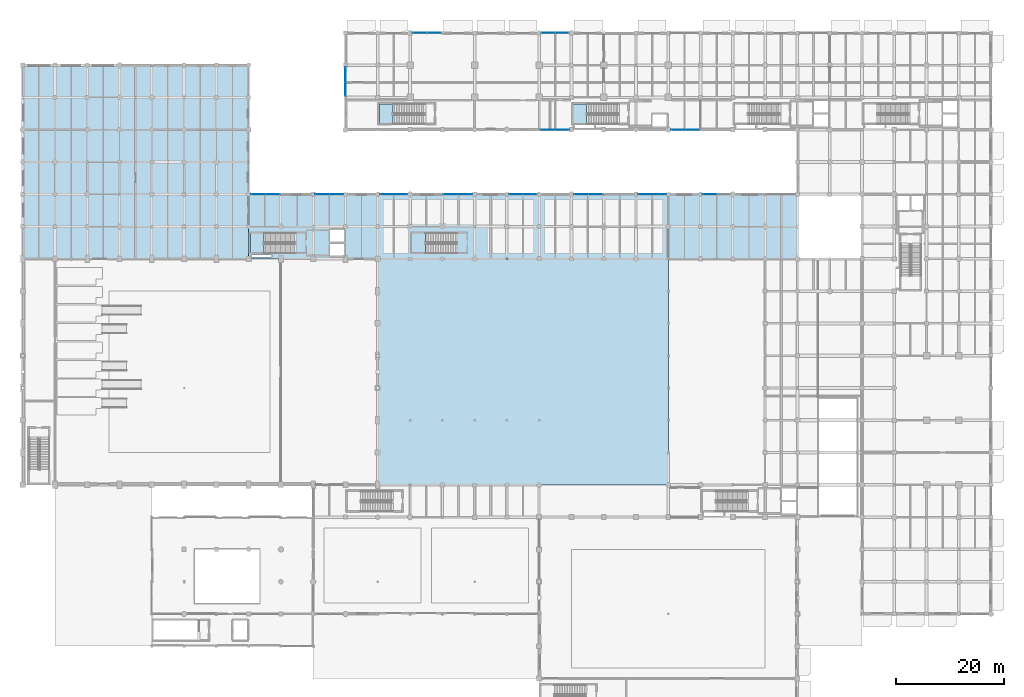
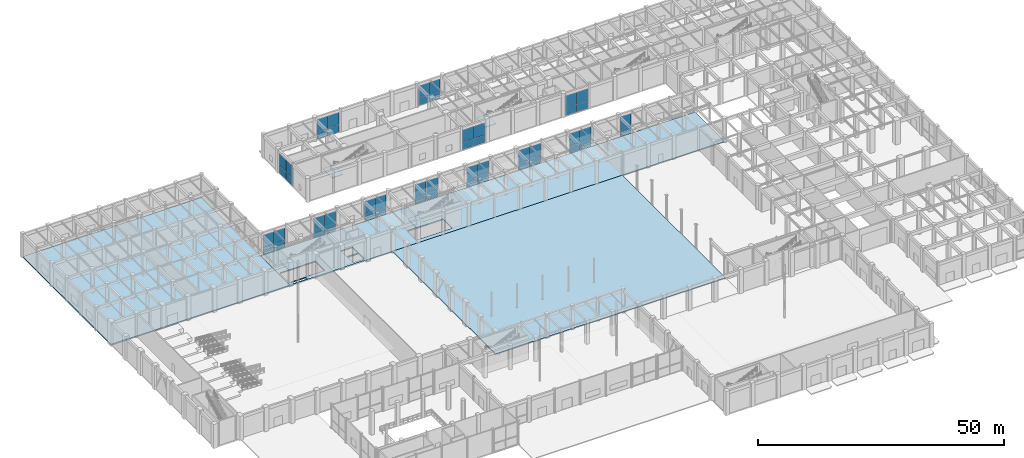
# One storey, part 73 of 106: 50 plates, 7 slabs, 17 elements without a shape of their own.
"""IFC4 building model written with IfcOpenShell, lengths in metres."""

from ifc_helpers import new_model, si_unit, direction, frame, frame_2d, origin, place, context, subcontext, project, spatial, polyline, rectangle, outline, extrude, material, layer, layer_set, type_object, element, aggregate, save


model = new_model("IFC4")

# Units and contexts
model_context = context("Model", 3, precision=1e-05, world=origin(), true_north=direction((0.0, 1.0)))
body_context = subcontext(model_context, "Body", "Model", "MODEL_VIEW")
ifc_project = project(units=[si_unit("LENGTHUNIT", "METRE"), si_unit("AREAUNIT", "SQUARE_METRE"), si_unit("VOLUMEUNIT", "CUBIC_METRE"), si_unit("PLANEANGLEUNIT", "RADIAN"), si_unit("MASSUNIT", "GRAM", prefix="KILO"), si_unit("THERMODYNAMICTEMPERATUREUNIT", "KELVIN"), si_unit("POWERUNIT", "WATT")], contexts=[model_context])

# Site, building, storey
site_placement = place(None, origin())
site = spatial("IfcSite", under=ifc_project, at=site_placement, CompositionType="ELEMENT")
building_placement = place(site_placement, origin())
building = spatial("IfcBuilding", under=site, at=building_placement, Name="Phaisarnlok Congress Hotel", CompositionType="ELEMENT")
storey_placement = place(building_placement, origin())
storey = spatial("IfcBuildingStorey", under=building, at=storey_placement, Name="L00", CompositionType="ELEMENT", Elevation=0.0)

# Curtain wall, plates
ifc_material_1 = material(Name="Thermally Broken Unitised Aluminium & Low-E Glazing", Category="aluminium")
curtain_wall_type_1 = type_object("IfcCurtainWallType", Name="CW-UNIT-01", PredefinedType="NOTDEFINED", material=ifc_material_1)
curtain_wall_1_placement = place(storey_placement, origin())
curtain_wall_1 = element("IfcCurtainWall", 1, at=curtain_wall_1_placement, inside=storey, type_object=curtain_wall_type_1, Name="Unitised curtain wall CW-01 (L00)", PredefinedType="NOTDEFINED")
ifc_material_2 = material(Name="Triple Acoustic Solar-Control Glazing", Category="glass")
ifc_layer_1 = layer(ifc_material_2, 0.035888671875, Name="Triple Acoustic Solar-Control Glazing")
ifc_layer_set_1 = layer_set([ifc_layer_1], Name="Triple Acoustic Solar-Control Glazing")
plate_type = type_object("IfcPlateType", Name="CWP-GLZ-36", PredefinedType="CURTAIN_PANEL", material=ifc_layer_set_1)
plate_1_placement = place(storey_placement, frame((101.47509765625, 126.0, 0.0400390625), z_axis=(0.0, 0.0, 1.0), x_axis=(-1.0, 0.0, 0.0)))
plate_1 = element("IfcPlate", 2, at=plate_1_placement, type_object=plate_type, Name="Glazed curtain panel CWP-02", PredefinedType="CURTAIN_PANEL", context=body_context, shape_type="SweptSolid", body=[
    extrude(rectangle(XDim=2.49755859375, YDim=0.028076171875, at=frame_2d((1.248779296875, 0.0))), origin(), (0.0, 0.0, 1.0), 1.856201171875),
])
plate_2_placement = place(storey_placement, frame((101.47509765625, 126.0, 1.896240234375), z_axis=(0.0, 0.0, 1.0), x_axis=(-1.0, 0.0, 0.0)))
plate_2 = element("IfcPlate", 3, at=plate_2_placement, type_object=plate_type, Name="Glazed curtain panel CWP-02", PredefinedType="CURTAIN_PANEL", context=body_context, shape_type="SweptSolid", body=[
    extrude(rectangle(XDim=2.49755859375, YDim=0.028076171875, at=frame_2d((1.248779296875, 0.0))), origin(), (0.0, 0.0, 1.0), 3.0537109375),
])
plate_3_placement = place(storey_placement, frame((98.947509765625, 126.0, 0.0400390625), z_axis=(0.0, 0.0, 1.0), x_axis=(-1.0, 0.0, 0.0)))
plate_3 = element("IfcPlate", 4, at=plate_3_placement, type_object=plate_type, Name="Glazed curtain panel CWP-02", PredefinedType="CURTAIN_PANEL", context=body_context, shape_type="SweptSolid", body=[
    extrude(rectangle(XDim=2.49755859375, YDim=0.028076171875, at=frame_2d((1.248779296875, 0.0))), origin(), (0.0, 0.0, 1.0), 1.856201171875),
])
plate_4_placement = place(storey_placement, frame((98.947509765625, 126.0, 1.896240234375), z_axis=(0.0, 0.0, 1.0), x_axis=(-1.0, 0.0, 0.0)))
plate_4 = element("IfcPlate", 5, at=plate_4_placement, type_object=plate_type, Name="Glazed curtain panel CWP-02", PredefinedType="CURTAIN_PANEL", context=body_context, shape_type="SweptSolid", body=[
    extrude(rectangle(XDim=2.49755859375, YDim=0.028076171875, at=frame_2d((1.248779296875, 0.0))), origin(), (0.0, 0.0, 1.0), 3.0537109375),
])
aggregate(curtain_wall_1, [plate_1, plate_2, plate_3, plate_4])

curtain_wall_type_2 = type_object("IfcCurtainWallType", Name="CW-UNIT-05", PredefinedType="NOTDEFINED", material=ifc_material_1)
curtain_wall_2_placement = place(storey_placement, origin())
curtain_wall_2 = element("IfcCurtainWall", 6, at=curtain_wall_2_placement, inside=storey, type_object=curtain_wall_type_2, Name="Unitised curtain wall CW-05 (L00)", PredefinedType="NOTDEFINED")
plate_5_placement = place(storey_placement, frame((77.7744140625, 126.0, 0.0400390625), z_axis=(0.0, 0.0, 1.0), x_axis=(-1.0, 0.0, 0.0)))
plate_5 = element("IfcPlate", 7, at=plate_5_placement, type_object=plate_type, Name="Glazed curtain panel CWP-02", PredefinedType="CURTAIN_PANEL", context=body_context, shape_type="SweptSolid", body=[
    extrude(rectangle(XDim=2.609619140625, YDim=0.028076171875, at=frame_2d((1.3046875, 0.0))), origin(), (0.0, 0.0, 1.0), 1.856201171875),
])
plate_6_placement = place(storey_placement, frame((77.7744140625, 126.0, 1.896240234375), z_axis=(0.0, 0.0, 1.0), x_axis=(-1.0, 0.0, 0.0)))
plate_6 = element("IfcPlate", 8, at=plate_6_placement, type_object=plate_type, Name="Glazed curtain panel CWP-02", PredefinedType="CURTAIN_PANEL", context=body_context, shape_type="SweptSolid", body=[
    extrude(rectangle(XDim=2.609619140625, YDim=0.028076171875, at=frame_2d((1.3046875, 0.0))), origin(), (0.0, 0.0, 1.0), 3.0537109375),
])
plate_7_placement = place(storey_placement, frame((75.134765625, 126.0, 0.0400390625), z_axis=(0.0, 0.0, 1.0), x_axis=(-1.0, 0.0, 0.0)))
plate_7 = element("IfcPlate", 9, at=plate_7_placement, type_object=plate_type, Name="Glazed curtain panel CWP-02", PredefinedType="CURTAIN_PANEL", context=body_context, shape_type="SweptSolid", body=[
    extrude(rectangle(XDim=2.60986328125, YDim=0.028076171875, at=frame_2d((1.304931640625, 0.0))), origin(), (0.0, 0.0, 1.0), 1.856201171875),
])
plate_8_placement = place(storey_placement, frame((75.134765625, 126.0, 1.896240234375), z_axis=(0.0, 0.0, 1.0), x_axis=(-1.0, 0.0, 0.0)))
plate_8 = element("IfcPlate", 10, at=plate_8_placement, type_object=plate_type, Name="Glazed curtain panel CWP-02", PredefinedType="CURTAIN_PANEL", context=body_context, shape_type="SweptSolid", body=[
    extrude(rectangle(XDim=2.60986328125, YDim=0.028076171875, at=frame_2d((1.304931640625, 0.0))), origin(), (0.0, 0.0, 1.0), 3.0537109375),
])
aggregate(curtain_wall_2, [plate_5, plate_6, plate_7, plate_8])

curtain_wall_type_3 = type_object("IfcCurtainWallType", Name="CW-UNIT-04", PredefinedType="NOTDEFINED", material=ifc_material_1)
curtain_wall_3_placement = place(storey_placement, origin())
curtain_wall_3 = element("IfcCurtainWall", 11, at=curtain_wall_3_placement, inside=storey, type_object=curtain_wall_type_3, Name="Unitised curtain wall CW-04 (L00)", PredefinedType="NOTDEFINED")
plate_9_placement = place(storey_placement, frame((60.0, 119.574951171875, 0.0400390625), z_axis=(0.0, 0.0, 1.0), x_axis=(0.0, -1.0, 0.0)))
plate_9 = element("IfcPlate", 12, at=plate_9_placement, type_object=plate_type, Name="Glazed curtain panel CWP-02", PredefinedType="CURTAIN_PANEL", context=body_context, shape_type="SweptSolid", body=[
    extrude(rectangle(XDim=2.66015625, YDim=0.028076171875, at=frame_2d((1.330078125, 0.0))), origin(), (0.0, 0.0, 1.0), 1.86376953125),
])
plate_10_placement = place(storey_placement, frame((60.0, 119.574951171875, 1.90380859375), z_axis=(0.0, 0.0, 1.0), x_axis=(0.0, -1.0, 0.0)))
plate_10 = element("IfcPlate", 13, at=plate_10_placement, type_object=plate_type, Name="Glazed curtain panel CWP-02", PredefinedType="CURTAIN_PANEL", context=body_context, shape_type="SweptSolid", body=[
    extrude(rectangle(XDim=2.66015625, YDim=0.028076171875, at=frame_2d((1.330078125, 0.0))), origin(), (0.0, 0.0, 1.0), 3.066162109375),
])
plate_11_placement = place(storey_placement, frame((60.0, 116.884765625, 0.0400390625), z_axis=(0.0, 0.0, 1.0), x_axis=(0.0, -1.0, 0.0)))
plate_11 = element("IfcPlate", 14, at=plate_11_placement, type_object=plate_type, Name="Glazed curtain panel CWP-02", PredefinedType="CURTAIN_PANEL", context=body_context, shape_type="SweptSolid", body=[
    extrude(rectangle(XDim=2.66015625, YDim=0.028076171875, at=frame_2d((1.330078125, 0.0))), origin(), (0.0, 0.0, 1.0), 1.86376953125),
])
plate_12_placement = place(storey_placement, frame((60.0, 116.884765625, 1.90380859375), z_axis=(0.0, 0.0, 1.0), x_axis=(0.0, -1.0, 0.0)))
plate_12 = element("IfcPlate", 15, at=plate_12_placement, type_object=plate_type, Name="Glazed curtain panel CWP-02", PredefinedType="CURTAIN_PANEL", context=body_context, shape_type="SweptSolid", body=[
    extrude(rectangle(XDim=2.66015625, YDim=0.028076171875, at=frame_2d((1.330078125, 0.0))), origin(), (0.0, 0.0, 1.0), 3.066162109375),
])
aggregate(curtain_wall_3, [plate_9, plate_10, plate_11, plate_12])

curtain_wall_4_placement = place(storey_placement, origin())
curtain_wall_4 = element("IfcCurtainWall", 16, at=curtain_wall_4_placement, inside=storey, type_object=curtain_wall_type_3, Name="Unitised curtain wall CW-04 (L00)", PredefinedType="NOTDEFINED")
plate_13_placement = place(storey_placement, frame((96.2255859375, 108.0, 0.0400390625), z_axis=(0.0, 0.0, 1.0), x_axis=(1.0, 0.0, 0.0)))
plate_13 = element("IfcPlate", 17, at=plate_13_placement, type_object=plate_type, Name="Glazed curtain panel CWP-02", PredefinedType="CURTAIN_PANEL", context=body_context, shape_type="SweptSolid", body=[
    extrude(rectangle(XDim=2.65966796875, YDim=0.028076171875, at=frame_2d((1.329833984375, 0.0))), origin(), (0.0, 0.0, 1.0), 1.856201171875),
])
plate_14_placement = place(storey_placement, frame((96.2255859375, 108.0, 1.896240234375), z_axis=(0.0, 0.0, 1.0), x_axis=(1.0, 0.0, 0.0)))
plate_14 = element("IfcPlate", 18, at=plate_14_placement, type_object=plate_type, Name="Glazed curtain panel CWP-02", PredefinedType="CURTAIN_PANEL", context=body_context, shape_type="SweptSolid", body=[
    extrude(rectangle(XDim=2.65966796875, YDim=0.028076171875, at=frame_2d((1.329833984375, 0.0))), origin(), (0.0, 0.0, 1.0), 3.0537109375),
])
plate_15_placement = place(storey_placement, frame((98.915283203125, 108.0, 0.0400390625), z_axis=(0.0, 0.0, 1.0), x_axis=(1.0, 0.0, 0.0)))
plate_15 = element("IfcPlate", 19, at=plate_15_placement, type_object=plate_type, Name="Glazed curtain panel CWP-02", PredefinedType="CURTAIN_PANEL", context=body_context, shape_type="SweptSolid", body=[
    extrude(rectangle(XDim=2.65966796875, YDim=0.028076171875, at=frame_2d((1.329833984375, 0.0))), origin(), (0.0, 0.0, 1.0), 1.856201171875),
])
plate_16_placement = place(storey_placement, frame((98.915283203125, 108.0, 1.896240234375), z_axis=(0.0, 0.0, 1.0), x_axis=(1.0, 0.0, 0.0)))
plate_16 = element("IfcPlate", 20, at=plate_16_placement, type_object=plate_type, Name="Glazed curtain panel CWP-02", PredefinedType="CURTAIN_PANEL", context=body_context, shape_type="SweptSolid", body=[
    extrude(rectangle(XDim=2.65966796875, YDim=0.028076171875, at=frame_2d((1.329833984375, 0.0))), origin(), (0.0, 0.0, 1.0), 3.0537109375),
])
aggregate(curtain_wall_4, [plate_13, plate_14, plate_15, plate_16])

curtain_wall_5_placement = place(storey_placement, origin())
curtain_wall_5 = element("IfcCurtainWall", 21, at=curtain_wall_5_placement, inside=storey, type_object=curtain_wall_type_2, Name="Unitised curtain wall CW-05 (L00)", PredefinedType="NOTDEFINED")
plate_17_placement = place(storey_placement, frame((120.52490234375, 108.0, 0.0400390625), z_axis=(0.0, 0.0, 1.0), x_axis=(1.0, 0.0, 0.0)))
plate_17 = element("IfcPlate", 22, at=plate_17_placement, type_object=plate_type, Name="Glazed curtain panel CWP-02", PredefinedType="CURTAIN_PANEL", context=body_context, shape_type="SweptSolid", body=[
    extrude(rectangle(XDim=2.60986328125, YDim=0.028076171875, at=frame_2d((1.304931640625, 0.0))), origin(), (0.0, 0.0, 1.0), 1.856201171875),
])
plate_18_placement = place(storey_placement, frame((120.52490234375, 108.0, 1.896240234375), z_axis=(0.0, 0.0, 1.0), x_axis=(1.0, 0.0, 0.0)))
plate_18 = element("IfcPlate", 23, at=plate_18_placement, type_object=plate_type, Name="Glazed curtain panel CWP-02", PredefinedType="CURTAIN_PANEL", context=body_context, shape_type="SweptSolid", body=[
    extrude(rectangle(XDim=2.60986328125, YDim=0.028076171875, at=frame_2d((1.304931640625, 0.0))), origin(), (0.0, 0.0, 1.0), 3.0537109375),
])
plate_19_placement = place(storey_placement, frame((123.164794921875, 108.0, 0.0400390625), z_axis=(0.0, 0.0, 1.0), x_axis=(1.0, 0.0, 0.0)))
plate_19 = element("IfcPlate", 24, at=plate_19_placement, type_object=plate_type, Name="Glazed curtain panel CWP-02", PredefinedType="CURTAIN_PANEL", context=body_context, shape_type="SweptSolid", body=[
    extrude(rectangle(XDim=2.609619140625, YDim=0.028076171875, at=frame_2d((1.3046875, 0.0))), origin(), (0.0, 0.0, 1.0), 1.856201171875),
])
plate_20_placement = place(storey_placement, frame((123.164794921875, 108.0, 1.896240234375), z_axis=(0.0, 0.0, 1.0), x_axis=(1.0, 0.0, 0.0)))
plate_20 = element("IfcPlate", 25, at=plate_20_placement, type_object=plate_type, Name="Glazed curtain panel CWP-02", PredefinedType="CURTAIN_PANEL", context=body_context, shape_type="SweptSolid", body=[
    extrude(rectangle(XDim=2.609619140625, YDim=0.028076171875, at=frame_2d((1.3046875, 0.0))), origin(), (0.0, 0.0, 1.0), 3.0537109375),
])
aggregate(curtain_wall_5, [plate_17, plate_18, plate_19, plate_20])

curtain_wall_6_placement = place(storey_placement, origin())
curtain_wall_6 = element("IfcCurtainWall", 26, at=curtain_wall_6_placement, inside=storey, type_object=curtain_wall_type_1, Name="Unitised curtain wall CW-01 (L00)", PredefinedType="NOTDEFINED")
plate_21_placement = place(storey_placement, frame((128.947509765625, 96.0, 0.0400390625), z_axis=(0.0, 0.0, 1.0), x_axis=(-1.0, 0.0, 0.0)))
plate_21 = element("IfcPlate", 27, at=plate_21_placement, type_object=plate_type, Name="Glazed curtain panel CWP-02", PredefinedType="CURTAIN_PANEL", context=body_context, shape_type="SweptSolid", body=[
    extrude(rectangle(XDim=2.49755859375, YDim=0.028076171875, at=frame_2d((1.248779296875, 0.0))), origin(), (0.0, 0.0, 1.0), 1.856201171875),
])
plate_22_placement = place(storey_placement, frame((128.947509765625, 96.0, 1.896240234375), z_axis=(0.0, 0.0, 1.0), x_axis=(-1.0, 0.0, 0.0)))
plate_22 = element("IfcPlate", 28, at=plate_22_placement, type_object=plate_type, Name="Glazed curtain panel CWP-02", PredefinedType="CURTAIN_PANEL", context=body_context, shape_type="SweptSolid", body=[
    extrude(rectangle(XDim=2.49755859375, YDim=0.028076171875, at=frame_2d((1.248779296875, 0.0))), origin(), (0.0, 0.0, 1.0), 3.0537109375),
])
aggregate(curtain_wall_6, [plate_21, plate_22])

curtain_wall_type_4 = type_object("IfcCurtainWallType", Name="CW-UNIT-03", PredefinedType="NOTDEFINED", material=ifc_material_1)
curtain_wall_7_placement = place(storey_placement, origin())
curtain_wall_7 = element("IfcCurtainWall", 29, at=curtain_wall_7_placement, inside=storey, type_object=curtain_wall_type_4, Name="Unitised curtain wall CW-03 (L00)", PredefinedType="NOTDEFINED")
plate_23_placement = place(storey_placement, frame((119.60009765625, 96.0, 0.0400390625), z_axis=(0.0, 0.0, 1.0), x_axis=(-1.0, 0.0, 0.0)))
plate_23 = element("IfcPlate", 30, at=plate_23_placement, type_object=plate_type, Name="Glazed curtain panel CWP-02", PredefinedType="CURTAIN_PANEL", context=body_context, shape_type="SweptSolid", body=[
    extrude(rectangle(XDim=2.572509765625, YDim=0.028076171875, at=frame_2d((1.2861328125, 0.0))), origin(), (0.0, 0.0, 1.0), 1.856201171875),
])
plate_24_placement = place(storey_placement, frame((119.60009765625, 96.0, 1.896240234375), z_axis=(0.0, 0.0, 1.0), x_axis=(-1.0, 0.0, 0.0)))
plate_24 = element("IfcPlate", 31, at=plate_24_placement, type_object=plate_type, Name="Glazed curtain panel CWP-02", PredefinedType="CURTAIN_PANEL", context=body_context, shape_type="SweptSolid", body=[
    extrude(rectangle(XDim=2.572509765625, YDim=0.028076171875, at=frame_2d((1.2861328125, 0.0))), origin(), (0.0, 0.0, 1.0), 3.0537109375),
])
plate_25_placement = place(storey_placement, frame((116.99755859375, 96.0, 0.0400390625), z_axis=(0.0, 0.0, 1.0), x_axis=(-1.0, 0.0, 0.0)))
plate_25 = element("IfcPlate", 32, at=plate_25_placement, type_object=plate_type, Name="Glazed curtain panel CWP-02", PredefinedType="CURTAIN_PANEL", context=body_context, shape_type="SweptSolid", body=[
    extrude(rectangle(XDim=2.572509765625, YDim=0.028076171875, at=frame_2d((1.2861328125, 0.0))), origin(), (0.0, 0.0, 1.0), 1.856201171875),
])
plate_26_placement = place(storey_placement, frame((116.99755859375, 96.0, 1.896240234375), z_axis=(0.0, 0.0, 1.0), x_axis=(-1.0, 0.0, 0.0)))
plate_26 = element("IfcPlate", 33, at=plate_26_placement, type_object=plate_type, Name="Glazed curtain panel CWP-02", PredefinedType="CURTAIN_PANEL", context=body_context, shape_type="SweptSolid", body=[
    extrude(rectangle(XDim=2.572509765625, YDim=0.028076171875, at=frame_2d((1.2861328125, 0.0))), origin(), (0.0, 0.0, 1.0), 3.0537109375),
])
aggregate(curtain_wall_7, [plate_23, plate_24, plate_25, plate_26])

curtain_wall_8_placement = place(storey_placement, origin())
curtain_wall_8 = element("IfcCurtainWall", 34, at=curtain_wall_8_placement, inside=storey, type_object=curtain_wall_type_2, Name="Unitised curtain wall CW-05 (L00)", PredefinedType="NOTDEFINED")
plate_27_placement = place(storey_placement, frame((107.7744140625, 96.0, 0.0400390625), z_axis=(0.0, 0.0, 1.0), x_axis=(-1.0, 0.0, 0.0)))
plate_27 = element("IfcPlate", 35, at=plate_27_placement, type_object=plate_type, Name="Glazed curtain panel CWP-02", PredefinedType="CURTAIN_PANEL", context=body_context, shape_type="SweptSolid", body=[
    extrude(rectangle(XDim=2.609619140625, YDim=0.028076171875, at=frame_2d((1.3046875, 0.0))), origin(), (0.0, 0.0, 1.0), 1.856201171875),
])
plate_28_placement = place(storey_placement, frame((107.7744140625, 96.0, 1.896240234375), z_axis=(0.0, 0.0, 1.0), x_axis=(-1.0, 0.0, 0.0)))
plate_28 = element("IfcPlate", 36, at=plate_28_placement, type_object=plate_type, Name="Glazed curtain panel CWP-02", PredefinedType="CURTAIN_PANEL", context=body_context, shape_type="SweptSolid", body=[
    extrude(rectangle(XDim=2.609619140625, YDim=0.028076171875, at=frame_2d((1.3046875, 0.0))), origin(), (0.0, 0.0, 1.0), 3.0537109375),
])
plate_29_placement = place(storey_placement, frame((105.134765625, 96.0, 0.0400390625), z_axis=(0.0, 0.0, 1.0), x_axis=(-1.0, 0.0, 0.0)))
plate_29 = element("IfcPlate", 37, at=plate_29_placement, type_object=plate_type, Name="Glazed curtain panel CWP-02", PredefinedType="CURTAIN_PANEL", context=body_context, shape_type="SweptSolid", body=[
    extrude(rectangle(XDim=2.60986328125, YDim=0.028076171875, at=frame_2d((1.304931640625, 0.0))), origin(), (0.0, 0.0, 1.0), 1.856201171875),
])
plate_30_placement = place(storey_placement, frame((105.134765625, 96.0, 1.896240234375), z_axis=(0.0, 0.0, 1.0), x_axis=(-1.0, 0.0, 0.0)))
plate_30 = element("IfcPlate", 38, at=plate_30_placement, type_object=plate_type, Name="Glazed curtain panel CWP-02", PredefinedType="CURTAIN_PANEL", context=body_context, shape_type="SweptSolid", body=[
    extrude(rectangle(XDim=2.60986328125, YDim=0.028076171875, at=frame_2d((1.304931640625, 0.0))), origin(), (0.0, 0.0, 1.0), 3.0537109375),
])
aggregate(curtain_wall_8, [plate_27, plate_28, plate_29, plate_30])

curtain_wall_9_placement = place(storey_placement, origin())
curtain_wall_9 = element("IfcCurtainWall", 39, at=curtain_wall_9_placement, inside=storey, type_object=curtain_wall_type_4, Name="Unitised curtain wall CW-03 (L00)", PredefinedType="NOTDEFINED")
plate_31_placement = place(storey_placement, frame((95.550048828125, 96.0, 0.0400390625), z_axis=(0.0, 0.0, 1.0), x_axis=(-1.0, 0.0, 0.0)))
plate_31 = element("IfcPlate", 40, at=plate_31_placement, type_object=plate_type, Name="Glazed curtain panel CWP-02", PredefinedType="CURTAIN_PANEL", context=body_context, shape_type="SweptSolid", body=[
    extrude(rectangle(XDim=2.56005859375, YDim=0.028076171875, at=frame_2d((1.280029296875, 0.0))), origin(), (0.0, 0.0, 1.0), 1.856201171875),
])
plate_32_placement = place(storey_placement, frame((95.550048828125, 96.0, 1.896240234375), z_axis=(0.0, 0.0, 1.0), x_axis=(-1.0, 0.0, 0.0)))
plate_32 = element("IfcPlate", 41, at=plate_32_placement, type_object=plate_type, Name="Glazed curtain panel CWP-02", PredefinedType="CURTAIN_PANEL", context=body_context, shape_type="SweptSolid", body=[
    extrude(rectangle(XDim=2.56005859375, YDim=0.028076171875, at=frame_2d((1.280029296875, 0.0))), origin(), (0.0, 0.0, 1.0), 3.0537109375),
])
plate_33_placement = place(storey_placement, frame((92.9599609375, 96.0, 0.0400390625), z_axis=(0.0, 0.0, 1.0), x_axis=(-1.0, 0.0, 0.0)))
plate_33 = element("IfcPlate", 42, at=plate_33_placement, type_object=plate_type, Name="Glazed curtain panel CWP-02", PredefinedType="CURTAIN_PANEL", context=body_context, shape_type="SweptSolid", body=[
    extrude(rectangle(XDim=2.56005859375, YDim=0.028076171875, at=frame_2d((1.280029296875, 0.0))), origin(), (0.0, 0.0, 1.0), 1.856201171875),
])
plate_34_placement = place(storey_placement, frame((92.9599609375, 96.0, 1.896240234375), z_axis=(0.0, 0.0, 1.0), x_axis=(-1.0, 0.0, 0.0)))
plate_34 = element("IfcPlate", 43, at=plate_34_placement, type_object=plate_type, Name="Glazed curtain panel CWP-02", PredefinedType="CURTAIN_PANEL", context=body_context, shape_type="SweptSolid", body=[
    extrude(rectangle(XDim=2.56005859375, YDim=0.028076171875, at=frame_2d((1.280029296875, 0.0))), origin(), (0.0, 0.0, 1.0), 3.0537109375),
])
aggregate(curtain_wall_9, [plate_31, plate_32, plate_33, plate_34])

curtain_wall_10_placement = place(storey_placement, origin())
curtain_wall_10 = element("IfcCurtainWall", 44, at=curtain_wall_10_placement, inside=storey, type_object=curtain_wall_type_3, Name="Unitised curtain wall CW-04 (L00)", PredefinedType="NOTDEFINED")
plate_35_placement = place(storey_placement, frame((83.574951171875, 96.0, 0.0400390625), z_axis=(0.0, 0.0, 1.0), x_axis=(-1.0, 0.0, 0.0)))
plate_35 = element("IfcPlate", 45, at=plate_35_placement, type_object=plate_type, Name="Glazed curtain panel CWP-02", PredefinedType="CURTAIN_PANEL", context=body_context, shape_type="SweptSolid", body=[
    extrude(rectangle(XDim=2.65966796875, YDim=0.028076171875, at=frame_2d((1.329833984375, 0.0))), origin(), (0.0, 0.0, 1.0), 1.856201171875),
])
plate_36_placement = place(storey_placement, frame((83.574951171875, 96.0, 1.896240234375), z_axis=(0.0, 0.0, 1.0), x_axis=(-1.0, 0.0, 0.0)))
plate_36 = element("IfcPlate", 46, at=plate_36_placement, type_object=plate_type, Name="Glazed curtain panel CWP-02", PredefinedType="CURTAIN_PANEL", context=body_context, shape_type="SweptSolid", body=[
    extrude(rectangle(XDim=2.65966796875, YDim=0.028076171875, at=frame_2d((1.329833984375, 0.0))), origin(), (0.0, 0.0, 1.0), 3.0537109375),
])
plate_37_placement = place(storey_placement, frame((80.88525390625, 96.0, 0.0400390625), z_axis=(0.0, 0.0, 1.0), x_axis=(-1.0, 0.0, 0.0)))
plate_37 = element("IfcPlate", 47, at=plate_37_placement, type_object=plate_type, Name="Glazed curtain panel CWP-02", PredefinedType="CURTAIN_PANEL", context=body_context, shape_type="SweptSolid", body=[
    extrude(rectangle(XDim=2.65966796875, YDim=0.028076171875, at=frame_2d((1.329833984375, 0.0))), origin(), (0.0, 0.0, 1.0), 1.856201171875),
])
plate_38_placement = place(storey_placement, frame((80.88525390625, 96.0, 1.896240234375), z_axis=(0.0, 0.0, 1.0), x_axis=(-1.0, 0.0, 0.0)))
plate_38 = element("IfcPlate", 48, at=plate_38_placement, type_object=plate_type, Name="Glazed curtain panel CWP-02", PredefinedType="CURTAIN_PANEL", context=body_context, shape_type="SweptSolid", body=[
    extrude(rectangle(XDim=2.65966796875, YDim=0.028076171875, at=frame_2d((1.329833984375, 0.0))), origin(), (0.0, 0.0, 1.0), 3.0537109375),
])
aggregate(curtain_wall_10, [plate_35, plate_36, plate_37, plate_38])

curtain_wall_11_placement = place(storey_placement, origin())
curtain_wall_11 = element("IfcCurtainWall", 49, at=curtain_wall_11_placement, inside=storey, type_object=curtain_wall_type_1, Name="Unitised curtain wall CW-01 (L00)", PredefinedType="NOTDEFINED")
plate_39_placement = place(storey_placement, frame((71.47509765625, 96.0, 0.0400390625), z_axis=(0.0, 0.0, 1.0), x_axis=(-1.0, 0.0, 0.0)))
plate_39 = element("IfcPlate", 50, at=plate_39_placement, type_object=plate_type, Name="Glazed curtain panel CWP-02", PredefinedType="CURTAIN_PANEL", context=body_context, shape_type="SweptSolid", body=[
    extrude(rectangle(XDim=2.49755859375, YDim=0.028076171875, at=frame_2d((1.248779296875, 0.0))), origin(), (0.0, 0.0, 1.0), 1.856201171875),
])
plate_40_placement = place(storey_placement, frame((71.47509765625, 96.0, 1.896240234375), z_axis=(0.0, 0.0, 1.0), x_axis=(-1.0, 0.0, 0.0)))
plate_40 = element("IfcPlate", 51, at=plate_40_placement, type_object=plate_type, Name="Glazed curtain panel CWP-02", PredefinedType="CURTAIN_PANEL", context=body_context, shape_type="SweptSolid", body=[
    extrude(rectangle(XDim=2.49755859375, YDim=0.028076171875, at=frame_2d((1.248779296875, 0.0))), origin(), (0.0, 0.0, 1.0), 3.0537109375),
])
plate_41_placement = place(storey_placement, frame((68.947509765625, 96.0, 0.0400390625), z_axis=(0.0, 0.0, 1.0), x_axis=(-1.0, 0.0, 0.0)))
plate_41 = element("IfcPlate", 52, at=plate_41_placement, type_object=plate_type, Name="Glazed curtain panel CWP-02", PredefinedType="CURTAIN_PANEL", context=body_context, shape_type="SweptSolid", body=[
    extrude(rectangle(XDim=2.49755859375, YDim=0.028076171875, at=frame_2d((1.248779296875, 0.0))), origin(), (0.0, 0.0, 1.0), 1.856201171875),
])
plate_42_placement = place(storey_placement, frame((68.947509765625, 96.0, 1.896240234375), z_axis=(0.0, 0.0, 1.0), x_axis=(-1.0, 0.0, 0.0)))
plate_42 = element("IfcPlate", 53, at=plate_42_placement, type_object=plate_type, Name="Glazed curtain panel CWP-02", PredefinedType="CURTAIN_PANEL", context=body_context, shape_type="SweptSolid", body=[
    extrude(rectangle(XDim=2.49755859375, YDim=0.028076171875, at=frame_2d((1.248779296875, 0.0))), origin(), (0.0, 0.0, 1.0), 3.0537109375),
])
aggregate(curtain_wall_11, [plate_39, plate_40, plate_41, plate_42])

curtain_wall_12_placement = place(storey_placement, origin())
curtain_wall_12 = element("IfcCurtainWall", 54, at=curtain_wall_12_placement, inside=storey, type_object=curtain_wall_type_4, Name="Unitised curtain wall CW-03 (L00)", PredefinedType="NOTDEFINED")
plate_43_placement = place(storey_placement, frame((59.60009765625, 96.0, 0.0400390625), z_axis=(0.0, 0.0, 1.0), x_axis=(-1.0, 0.0, 0.0)))
plate_43 = element("IfcPlate", 55, at=plate_43_placement, type_object=plate_type, Name="Glazed curtain panel CWP-02", PredefinedType="CURTAIN_PANEL", context=body_context, shape_type="SweptSolid", body=[
    extrude(rectangle(XDim=2.572509765625, YDim=0.028076171875, at=frame_2d((1.2861328125, 0.0))), origin(), (0.0, 0.0, 1.0), 1.856201171875),
])
plate_44_placement = place(storey_placement, frame((59.60009765625, 96.0, 1.896240234375), z_axis=(0.0, 0.0, 1.0), x_axis=(-1.0, 0.0, 0.0)))
plate_44 = element("IfcPlate", 56, at=plate_44_placement, type_object=plate_type, Name="Glazed curtain panel CWP-02", PredefinedType="CURTAIN_PANEL", context=body_context, shape_type="SweptSolid", body=[
    extrude(rectangle(XDim=2.572509765625, YDim=0.028076171875, at=frame_2d((1.2861328125, 0.0))), origin(), (0.0, 0.0, 1.0), 3.0537109375),
])
plate_45_placement = place(storey_placement, frame((56.99755859375, 96.0, 0.0400390625), z_axis=(0.0, 0.0, 1.0), x_axis=(-1.0, 0.0, 0.0)))
plate_45 = element("IfcPlate", 57, at=plate_45_placement, type_object=plate_type, Name="Glazed curtain panel CWP-02", PredefinedType="CURTAIN_PANEL", context=body_context, shape_type="SweptSolid", body=[
    extrude(rectangle(XDim=2.572509765625, YDim=0.028076171875, at=frame_2d((1.2861328125, 0.0))), origin(), (0.0, 0.0, 1.0), 1.856201171875),
])
plate_46_placement = place(storey_placement, frame((56.99755859375, 96.0, 1.896240234375), z_axis=(0.0, 0.0, 1.0), x_axis=(-1.0, 0.0, 0.0)))
plate_46 = element("IfcPlate", 58, at=plate_46_placement, type_object=plate_type, Name="Glazed curtain panel CWP-02", PredefinedType="CURTAIN_PANEL", context=body_context, shape_type="SweptSolid", body=[
    extrude(rectangle(XDim=2.572509765625, YDim=0.028076171875, at=frame_2d((1.2861328125, 0.0))), origin(), (0.0, 0.0, 1.0), 3.0537109375),
])
aggregate(curtain_wall_12, [plate_43, plate_44, plate_45, plate_46])

curtain_wall_13_placement = place(storey_placement, origin())
curtain_wall_13 = element("IfcCurtainWall", 59, at=curtain_wall_13_placement, inside=storey, type_object=curtain_wall_type_2, Name="Unitised curtain wall CW-05 (L00)", PredefinedType="NOTDEFINED")
plate_47_placement = place(storey_placement, frame((47.7744140625, 96.0, 0.0400390625), z_axis=(0.0, 0.0, 1.0), x_axis=(-1.0, 0.0, 0.0)))
plate_47 = element("IfcPlate", 60, at=plate_47_placement, type_object=plate_type, Name="Glazed curtain panel CWP-02", PredefinedType="CURTAIN_PANEL", context=body_context, shape_type="SweptSolid", body=[
    extrude(rectangle(XDim=2.609619140625, YDim=0.028076171875, at=frame_2d((1.3046875, 0.0))), origin(), (0.0, 0.0, 1.0), 1.856201171875),
])
plate_48_placement = place(storey_placement, frame((47.7744140625, 96.0, 1.896240234375), z_axis=(0.0, 0.0, 1.0), x_axis=(-1.0, 0.0, 0.0)))
plate_48 = element("IfcPlate", 61, at=plate_48_placement, type_object=plate_type, Name="Glazed curtain panel CWP-02", PredefinedType="CURTAIN_PANEL", context=body_context, shape_type="SweptSolid", body=[
    extrude(rectangle(XDim=2.609619140625, YDim=0.028076171875, at=frame_2d((1.3046875, 0.0))), origin(), (0.0, 0.0, 1.0), 3.0537109375),
])
plate_49_placement = place(storey_placement, frame((45.134765625, 96.0, 0.0400390625), z_axis=(0.0, 0.0, 1.0), x_axis=(-1.0, 0.0, 0.0)))
plate_49 = element("IfcPlate", 62, at=plate_49_placement, type_object=plate_type, Name="Glazed curtain panel CWP-02", PredefinedType="CURTAIN_PANEL", context=body_context, shape_type="SweptSolid", body=[
    extrude(rectangle(XDim=2.60986328125, YDim=0.028076171875, at=frame_2d((1.304931640625, 0.0))), origin(), (0.0, 0.0, 1.0), 1.856201171875),
])
plate_50_placement = place(storey_placement, frame((45.134765625, 96.0, 1.896240234375), z_axis=(0.0, 0.0, 1.0), x_axis=(-1.0, 0.0, 0.0)))
plate_50 = element("IfcPlate", 63, at=plate_50_placement, type_object=plate_type, Name="Glazed curtain panel CWP-02", PredefinedType="CURTAIN_PANEL", context=body_context, shape_type="SweptSolid", body=[
    extrude(rectangle(XDim=2.60986328125, YDim=0.028076171875, at=frame_2d((1.304931640625, 0.0))), origin(), (0.0, 0.0, 1.0), 3.0537109375),
])
aggregate(curtain_wall_13, [plate_47, plate_48, plate_49, plate_50])

# Slabs
ifc_material_3 = material(Name="Concrete C40/50", Category="concrete")
ifc_layer_2 = layer(ifc_material_3, 0.300048828125, Name="Concrete C40/50")
ifc_layer_set_2 = layer_set([ifc_layer_2], Name="Concrete C40/50")
slab_type_1 = type_object("IfcSlabType", Name="SLB-INT-300", PredefinedType="FLOOR", material=ifc_layer_set_2)
slab_1_placement = place(storey_placement, frame((0.0, 0.0, -0.300048828125)))
element("IfcSlab", 64, at=slab_1_placement, inside=storey, type_object=slab_type_1, Name="Floor slab SL-INT-300 (L00 v3)", PredefinedType="FLOOR", context=body_context, shape_type="SweptSolid", body=[
    extrude(outline(polyline([(42.0, 84.0), (42.0, 120.0), (0.0, 120.0), (0.0, 84.0), (42.0, 84.0)])), origin(), (0.0, 0.0, 1.0), 0.300048828125),
])
slab_2_placement = place(storey_placement, frame((0.0, 0.0, -0.300048828125)))
element("IfcSlab", 65, at=slab_2_placement, inside=storey, type_object=slab_type_1, Name="Floor slab SL-INT-300 (L00 v4_n)", PredefinedType="FLOOR", context=body_context, shape_type="SweptSolid", body=[
    extrude(outline(polyline([(144.0, 84.0), (144.0, 96.0), (42.0, 96.0), (42.0, 84.0), (144.0, 84.0)]), holes=[polyline([(50.719970703125, 88.800048828125), (42.300048828125, 88.800048828125), (42.300048828125, 85.0), (50.719970703125, 85.0), (50.719970703125, 88.800048828125)]), polyline([(80.719970703125, 88.800048828125), (72.300048828125, 88.800048828125), (72.300048828125, 85.0), (80.719970703125, 85.0), (80.719970703125, 88.800048828125)]), polyline([(59.75, 84.60009765625), (59.75, 86.85009765625), (57.10009765625, 86.85009765625), (57.10009765625, 84.60009765625), (59.75, 84.60009765625)]), polyline([(59.75, 87.14990234375), (59.75, 89.39990234375), (57.10009765625, 89.39990234375), (57.10009765625, 87.14990234375), (59.75, 87.14990234375)]), polyline([(46.199951171875, 84.25), (46.199951171875, 84.85009765625), (42.60009765625, 84.85009765625), (42.60009765625, 84.25), (46.199951171875, 84.25)])]), origin(), (0.0, 0.0, 1.0), 0.300048828125),
])

# Stair, slab
stair_type = type_object("IfcStairType", Name="STR-DOG-02", PredefinedType="HALF_TURN_STAIR", material=ifc_material_3)
stair_1_placement = place(storey_placement, origin())
stair_1 = element("IfcStair", 66, at=stair_1_placement, inside=storey, type_object=stair_type, Name="L00 ST-01", PredefinedType="HALF_TURN_STAIR")
ifc_layer_3 = layer(ifc_material_3, 0.199951171875, Name="Concrete C40/50")
ifc_layer_set_3 = layer_set([ifc_layer_3], Name="Concrete C40/50")
slab_type_2 = type_object("IfcSlabType", Name="SLB-LND-200", PredefinedType="LANDING", material=ifc_layer_set_3)
slab_3_placement = place(storey_placement, frame((0.0, 0.0, 2.800048828125)))
slab_3 = element("IfcSlab", 67, at=slab_3_placement, type_object=slab_type_2, Name="ST-01 landing 1", PredefinedType="LANDING", context=body_context, shape_type="SweptSolid", body=[
    extrude(outline(polyline([(44.830078125, 88.800048828125), (42.300048828125, 88.800048828125), (42.300048828125, 85.0), (44.830078125, 85.0), (44.830078125, 88.800048828125)])), origin(), (0.0, 0.0, 1.0), 0.199951171875),
])
aggregate(stair_1, [slab_3])

stair_2_placement = place(storey_placement, origin())
stair_2 = element("IfcStair", 68, at=stair_2_placement, inside=storey, type_object=stair_type, Name="L00 ST-07", PredefinedType="HALF_TURN_STAIR")
slab_4_placement = place(storey_placement, frame((0.0, 0.0, 2.800048828125)))
slab_4 = element("IfcSlab", 69, at=slab_4_placement, type_object=slab_type_2, Name="ST-07 landing 1", PredefinedType="LANDING", context=body_context, shape_type="SweptSolid", body=[
    extrude(outline(polyline([(104.830078125, 112.800048828125), (102.300048828125, 112.800048828125), (102.300048828125, 109.0), (104.830078125, 109.0), (104.830078125, 112.800048828125)])), origin(), (0.0, 0.0, 1.0), 0.199951171875),
])
aggregate(stair_2, [slab_4])

stair_3_placement = place(storey_placement, origin())
stair_3 = element("IfcStair", 70, at=stair_3_placement, inside=storey, type_object=stair_type, Name="L00 ST-10", PredefinedType="HALF_TURN_STAIR")
slab_5_placement = place(storey_placement, frame((0.0, 0.0, 2.800048828125)))
slab_5 = element("IfcSlab", 71, at=slab_5_placement, type_object=slab_type_2, Name="ST-10 landing 1", PredefinedType="LANDING", context=body_context, shape_type="SweptSolid", body=[
    extrude(outline(polyline([(68.830078125, 112.800048828125), (66.300048828125, 112.800048828125), (66.300048828125, 109.0), (68.830078125, 109.0), (68.830078125, 112.800048828125)])), origin(), (0.0, 0.0, 1.0), 0.199951171875),
])
aggregate(stair_3, [slab_5])

stair_4_placement = place(storey_placement, origin())
stair_4 = element("IfcStair", 72, at=stair_4_placement, inside=storey, type_object=stair_type, Name="L00 ST-11", PredefinedType="HALF_TURN_STAIR")
slab_6_placement = place(storey_placement, frame((0.0, 0.0, 2.800048828125)))
slab_6 = element("IfcSlab", 73, at=slab_6_placement, type_object=slab_type_2, Name="ST-11 landing 1", PredefinedType="LANDING", context=body_context, shape_type="SweptSolid", body=[
    extrude(outline(polyline([(74.830078125, 88.800048828125), (72.300048828125, 88.800048828125), (72.300048828125, 85.0), (74.830078125, 85.0), (74.830078125, 88.800048828125)])), origin(), (0.0, 0.0, 1.0), 0.199951171875),
])
aggregate(stair_4, [slab_6])

# Slab
ifc_layer_4 = layer(ifc_material_3, 0.25, Name="Concrete C40/50")
ifc_layer_set_4 = layer_set([ifc_layer_4], Name="Concrete C40/50")
slab_type_3 = type_object("IfcSlabType", Name="SLB-PLAZA-250", PredefinedType="BASESLAB", material=ifc_layer_set_4)
slab_7_placement = place(storey_placement, frame((0.0, 0.0, -0.25)))
element("IfcSlab", 74, at=slab_7_placement, inside=storey, type_object=slab_type_3, Name="Outdoor terrace slab SL-PLZ (L00 cloister_deck)", PredefinedType="BASESLAB", context=body_context, shape_type="SweptSolid", body=[
    extrude(outline(polyline([(66.0, 42.0), (120.0, 42.0), (120.0, 84.0), (66.0, 84.0), (66.0, 42.0)])), origin(), (0.0, 0.0, 1.0), 0.25),
])

save(model, "model.ifc")
